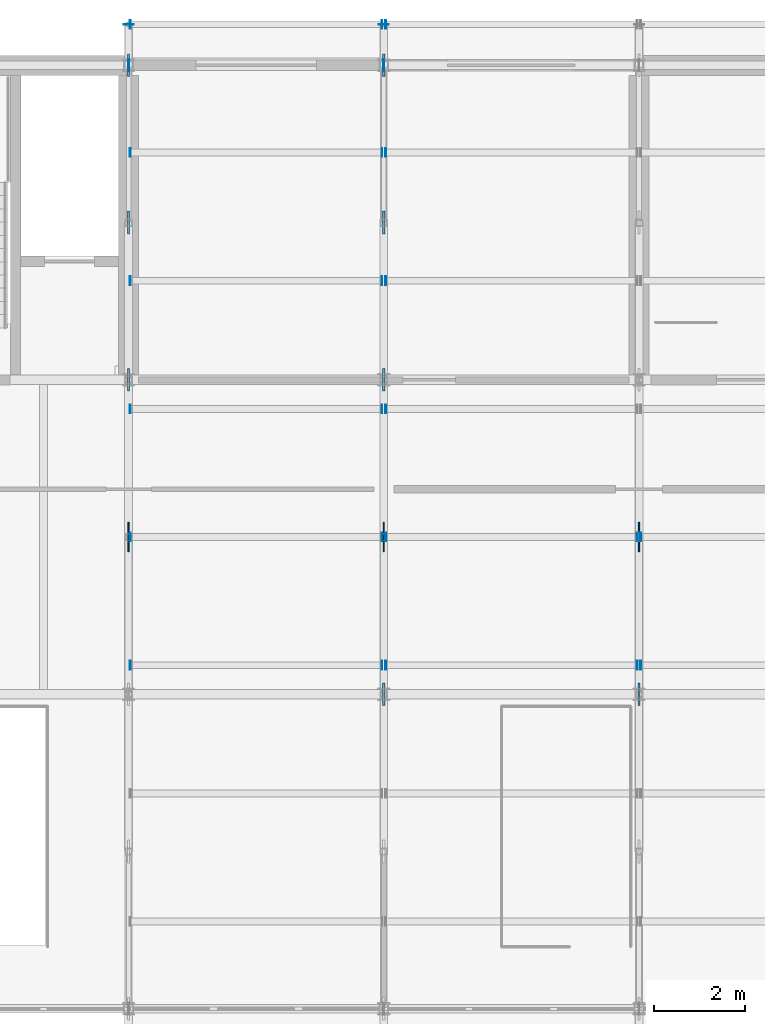
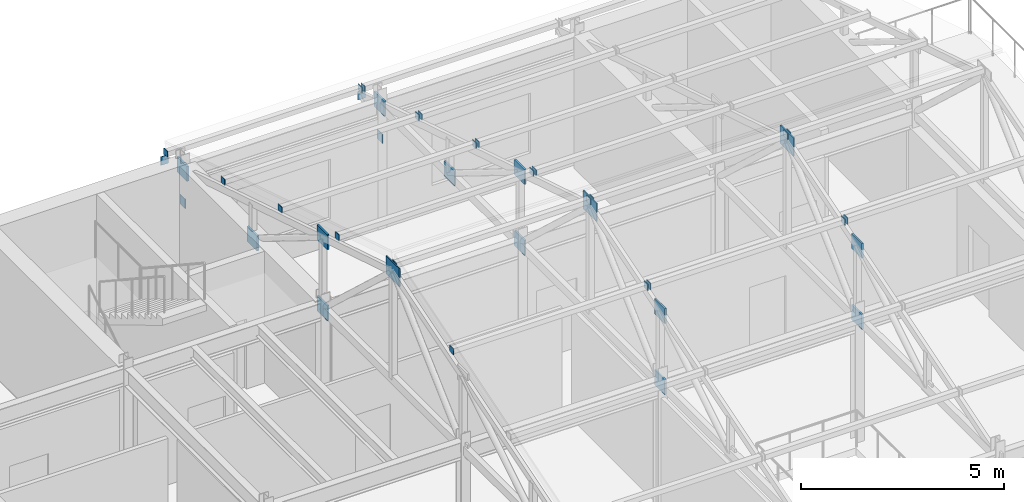
# One storey, part 123 of 144: 41 plates.
"""IFC4 building model written with IfcOpenShell, lengths in metres."""

import ifcopenshell
import ifcopenshell.guid

model = None  # the IFC model being written
_history = None  # IfcOwnerHistory: only IFC2X3 demands one
_inside = {}  # id of a spatial element -> (the spatial element, [elements in it])
_under = {}  # id of a project, library or spatial element -> (it, [spatial elements below it])
_declared = {}  # id of a project -> (the project, [libraries it declares])
_typed = {}  # id of a type object -> (the type object, [elements of that type])
_made_of = {}  # id of a material, layer set ... -> (it, [elements and type objects made of it])


def new_model(schema):
    """Start an empty IFC model of exactly this schema.

    Asked for "IFC4X3", IfcOpenShell would pick the latest addendum, in which some entities
    have other attributes; the version numbers below select the first issue.
    IFC2X3 requires an IfcOwnerHistory on every rooted entity: one is made here for all.
    """
    global model, _history
    if schema == "IFC4X3":
        model = ifcopenshell.file(schema_version=(4, 3, 0, 0))
    else:
        model = ifcopenshell.file(schema=schema)
    _inside.clear()
    _under.clear()
    _declared.clear()
    _typed.clear()
    _made_of.clear()
    _history = None
    if model.schema == "IFC2X3":
        org = make("IfcOrganization", Name="unknown")
        user = make(
            "IfcPersonAndOrganization",
            ThePerson=make("IfcPerson", FamilyName="unknown"),
            TheOrganization=org,
        )
        app = make(
            "IfcApplication",
            ApplicationDeveloper=org,
            Version="unknown",
            ApplicationFullName="unknown",
            ApplicationIdentifier="unknown",
        )
        _history = make(
            "IfcOwnerHistory",
            OwningUser=user,
            OwningApplication=app,
            ChangeAction="ADDED",
            CreationDate=0,
        )
    return model


def make(cls, **values):
    """One entity of the class cls with the attributes given. An attribute that is None is left unset."""
    return model.create_entity(
        cls, **{name: value for name, value in values.items() if value is not None}
    )


def rooted(cls, **values):
    """An entity with a GlobalId (a new one), such as an element, a storey or a relation."""
    return make(cls, GlobalId=ifcopenshell.guid.new(), OwnerHistory=_history, **values)


def si_unit(unit_type, name, prefix=None):
    """IfcSIUnit, for example si_unit("LENGTHUNIT", "METRE", prefix="MILLI")."""
    return make("IfcSIUnit", UnitType=unit_type, Prefix=prefix, Name=name)


def assignment(units):
    """IfcUnitAssignment: the units of a project."""
    return None if units is None else make("IfcUnitAssignment", Units=units)


def point(xyz):
    """IfcCartesianPoint."""
    return None if xyz is None else make("IfcCartesianPoint", Coordinates=xyz)


def direction(xyz):
    """IfcDirection."""
    return None if xyz is None else make("IfcDirection", DirectionRatios=xyz)


def frame(location, z_axis=None, x_axis=None):
    """IfcAxis2Placement3D, a coordinate frame: its origin and axes. An axis left out is left unset."""
    return make(
        "IfcAxis2Placement3D",
        Location=point(location),
        Axis=direction(z_axis),
        RefDirection=direction(x_axis),
    )


def frame_2d(location, x_axis=None):
    """IfcAxis2Placement2D, a coordinate frame in the plane: its origin and x axis."""
    return make(
        "IfcAxis2Placement2D", Location=point(location), RefDirection=direction(x_axis)
    )


def origin():
    """The frame at (0, 0, 0) with its axes left unset."""
    return frame((0.0, 0.0, 0.0))


def origin_2d():
    """The frame at (0, 0) in the plane with its x axis left unset."""
    return frame_2d((0.0, 0.0))


def place(relative_to, where):
    """IfcLocalPlacement: puts the frame where relative to a parent placement (None: the world)."""
    return make(
        "IfcLocalPlacement", PlacementRelTo=relative_to, RelativePlacement=where
    )


def context(
    kind, dimensions, precision=None, world=None, true_north=None, identifier=None
):
    """IfcGeometricRepresentationContext, for example the 3D "Model" context."""
    return make(
        "IfcGeometricRepresentationContext",
        ContextIdentifier=identifier,
        ContextType=kind,
        CoordinateSpaceDimension=dimensions,
        Precision=precision,
        WorldCoordinateSystem=world,
        TrueNorth=true_north,
    )


def subcontext(parent, identifier, kind, view, scale=None):
    """IfcGeometricRepresentationSubContext, for example "Body" below "Model"."""
    return make(
        "IfcGeometricRepresentationSubContext",
        ContextIdentifier=identifier,
        ContextType=kind,
        ParentContext=parent,
        TargetScale=scale,
        TargetView=view,
    )


def project(units=None, contexts=None):
    """IfcProject with its units and contexts."""
    return rooted(
        "IfcProject",
        Name="project",
        RepresentationContexts=contexts,
        UnitsInContext=assignment(units),
    )


def spatial(cls, under=None, at=None, **own):
    """A site, building, storey or space (cls), placed at a placement, below another one or the project."""
    s = rooted(cls, ObjectPlacement=at, **own)
    if under is not None:
        _under.setdefault(under.id(), (under, []))[1].append(s)
    return s


def profile(cls, at=None, kind="AREA", **sizes):
    """A parametric profile (cls). Its sizes go by their IFC names, for example OverallWidth=200.0."""
    return make(cls, ProfileType=kind, Position=at, **sizes)


def rectangle(**sizes):
    """IfcRectangleProfileDef."""
    return profile("IfcRectangleProfileDef", **sizes)


def extrude(swept, where, along, depth):
    """IfcExtrudedAreaSolid: the profile swept, set in the frame where, extruded along a direction by depth."""
    return make(
        "IfcExtrudedAreaSolid",
        SweptArea=swept,
        Position=where,
        ExtrudedDirection=direction(along),
        Depth=depth,
    )


def shape(context_of_items, identifier, shape_type, items):
    """IfcShapeRepresentation: the items that make up one representation, for example the "Body"."""
    return make(
        "IfcShapeRepresentation",
        ContextOfItems=context_of_items,
        RepresentationIdentifier=identifier,
        RepresentationType=shape_type,
        Items=items,
    )


def material(Name=None, Category=None):
    """IfcMaterial."""
    return make("IfcMaterial", Name=Name, Category=Category)


def layer(
    of_material, thickness, ventilated=None, Name=None, Category=None, Priority=None
):
    """IfcMaterialLayer: one layer of a wall or slab, of a material (None: an air gap)."""
    return make(
        "IfcMaterialLayer",
        Material=of_material,
        LayerThickness=thickness,
        IsVentilated=ventilated,
        Name=Name,
        Category=Category,
        Priority=Priority,
    )


def layer_set(layers, Name=None):
    """IfcMaterialLayerSet."""
    return make("IfcMaterialLayerSet", MaterialLayers=layers, LayerSetName=Name)


def made_of(thing, what):
    """Note that an element or type object is made of a material, layer set ...; save() writes the relation."""
    if what is not None:
        _made_of.setdefault(what.id(), (what, []))[1].append(thing)
    return thing


def type_object(cls, material=None, **own):
    """A type object (cls), such as IfcWallType, which elements share."""
    return made_of(rooted(cls, **own), material)


def element(
    cls,
    number,
    at=None,
    inside=None,
    cuts=None,
    type_object=None,
    material=None,
    context=None,
    identifier="Body",
    shape_type=None,
    held_by="IfcProductDefinitionShape",
    body=None,
    shapes=None,
    **own,
):
    """One element of the class cls, such as IfcWall. Its Tag is "e" and its number.

    at: its placement. inside: the storey or other place that contains it. cuts: it is an
    opening in that element (IfcRelVoidsElement). A single representation is given by context,
    identifier, shape_type and body (its items); several are given by shapes. held_by: the class
    of the entity that holds the representations. save() writes the other relations.
    """
    e = rooted(cls, Tag="e%d" % number, ObjectPlacement=at, **own)
    if body is not None:
        shapes = [shape(context, identifier, shape_type, body)]
    if shapes is not None:
        e.Representation = make(held_by, Representations=shapes)
    if inside is not None:
        _inside.setdefault(inside.id(), (inside, []))[1].append(e)
    if cuts is not None:
        rooted(
            "IfcRelVoidsElement", RelatingBuildingElement=cuts, RelatedOpeningElement=e
        )
    if type_object is not None:
        _typed.setdefault(type_object.id(), (type_object, []))[1].append(e)
    return made_of(e, material)


def aggregate(whole, parts):
    """IfcRelAggregates: a whole, such as a stair, and the parts it consists of."""
    return rooted("IfcRelAggregates", RelatingObject=whole, RelatedObjects=parts)


def save(model, path):
    """Write the relations noted so far, then the file.

    IfcRelAggregates (storeys below a building ...), IfcRelContainedInSpatialStructure (elements
    in a storey), IfcRelDefinesByType, IfcRelAssociatesMaterial and IfcRelDeclares: one each for
    every whole, place, type object, material and project.
    """
    for whole, parts in _under.values():
        aggregate(whole, parts)
    for where, things in _inside.values():
        rooted(
            "IfcRelContainedInSpatialStructure",
            RelatedElements=things,
            RelatingStructure=where,
        )
    for kind, things in _typed.values():
        rooted("IfcRelDefinesByType", RelatedObjects=things, RelatingType=kind)
    for what, things in _made_of.values():
        rooted("IfcRelAssociatesMaterial", RelatedObjects=things, RelatingMaterial=what)
    for by, libraries in _declared.values():
        rooted("IfcRelDeclares", RelatingContext=by, RelatedDefinitions=libraries)
    model.write(path)


model = new_model("IFC4")

# Units and contexts
model_context = context("Model", 3, precision=1e-05, world=origin(), true_north=direction((0.0, 1.0)))
body_context = subcontext(model_context, "Body", "Model", "MODEL_VIEW")
ifc_project = project(units=[si_unit("LENGTHUNIT", "METRE"), si_unit("AREAUNIT", "SQUARE_METRE"), si_unit("VOLUMEUNIT", "CUBIC_METRE"), si_unit("PLANEANGLEUNIT", "RADIAN"), si_unit("MASSUNIT", "GRAM", prefix="KILO")], contexts=[model_context])

# Site, building, storey
site_placement = place(None, origin())
site = spatial("IfcSite", under=ifc_project, at=site_placement, CompositionType="ELEMENT")
building_placement = place(site_placement, origin())
building = spatial("IfcBuilding", under=site, at=building_placement, Name="Trelmorton Wharf Fire Station", CompositionType="ELEMENT")
storey_placement = place(building_placement, frame((0.0, 0.0, 5.39990234375)))
storey = spatial("IfcBuildingStorey", under=building, at=storey_placement, Name="L01", CompositionType="ELEMENT", Elevation=5.39990234375)

# Plates
ifc_material = material(Name="Steel Grade 350", Category="steel")
ifc_layer_1 = layer(ifc_material, 0.011962890625)
ifc_layer_set_1 = layer_set([ifc_layer_1], Name="Steel Grade 350")
plate_type_1 = type_object("IfcPlateType", Name="PL_ENDCAP_12", PredefinedType="SHEET", material=ifc_layer_set_1)
for number, where, z_axis, x_axis, name in (
    (1, (23.199951171875, 81.89990234375, 3.27587890625), (0.0, 0.0, 1.0), (1.0, 0.0, 0.0), "PL-EC-0067"),
    (2, (28.800048828125, 81.89990234375, 3.27587890625), (0.0, 0.0, 1.0), (1.0, 0.0, 0.0), "PL-EC-0071"),
):
    element("IfcPlate", number, at=place(storey_placement, frame(where, z_axis=z_axis, x_axis=x_axis)), inside=storey, type_object=plate_type_1, Name=name, PredefinedType="SHEET", context=body_context, shape_type="SweptSolid", body=[
        extrude(rectangle(XDim=0.219970703125, YDim=0.011962890625, at=origin_2d()), origin(), (0.0, 0.0, 1.0), 0.260009765625),
    ])
for number, where, z_axis, x_axis, name in (
    (3, (23.239013671875, 67.83740234375, 6.11279296875), (0.0, 0.0, 1.0), (1.0, 0.0, 0.0), "PL-PREC-A-0087"),
    (4, (28.760986328125, 67.83740234375, 6.11279296875), (0.0, 0.0, 1.0), (1.0, 0.0, 0.0), "PL-PREC-B-0088"),
    (5, (23.239013671875, 70.64990234375, 6.982421875), (0.0, 0.0, 1.0), (1.0, 0.0, 0.0), "PL-PREC-A-0089"),
    (6, (28.760986328125, 70.64990234375, 6.982421875), (0.0, 0.0, 1.0), (1.0, 0.0, 0.0), "PL-PREC-B-0090"),
    (7, (23.239013671875, 73.46240234375, 6.11279296875), (0.0, 0.0, 1.0), (1.0, 0.0, 0.0), "PL-PREC-A-0091"),
    (8, (28.760986328125, 73.46240234375, 6.11279296875), (0.0, 0.0, 1.0), (1.0, 0.0, 0.0), "PL-PREC-B-0092"),
    (9, (23.239013671875, 76.27490234375, 5.2431640625), (0.0, 0.0, 1.0), (1.0, 0.0, 0.0), "PL-PREC-A-0093"),
    (10, (28.760986328125, 76.27490234375, 5.2431640625), (0.0, 0.0, 1.0), (1.0, 0.0, 0.0), "PL-PREC-B-0094"),
    (11, (23.239013671875, 79.08740234375, 4.37353515625), (0.0, 0.0, 1.0), (1.0, 0.0, 0.0), "PL-PREC-A-0095"),
    (12, (28.760986328125, 79.08740234375, 4.37353515625), (0.0, 0.0, 1.0), (1.0, 0.0, 0.0), "PL-PREC-B-0096"),
    (13, (23.239013671875, 81.89990234375, 3.50390625), (0.0, 0.0, 1.0), (1.0, 0.0, 0.0), "PL-PREC-A-0097"),
    (14, (28.760986328125, 81.89990234375, 3.50390625), (0.0, 0.0, 1.0), (1.0, 0.0, 0.0), "PL-PREC-B-0098"),
    (15, (28.839111328125, 67.83740234375, 6.11279296875), (0.0, 0.0, 1.0), (1.0, 0.0, 0.0), "PL-PREC-A-0105"),
    (16, (34.361083984375, 67.83740234375, 6.11279296875), (0.0, 0.0, 1.0), (1.0, 0.0, 0.0), "PL-PREC-B-0106"),
    (17, (28.839111328125, 70.64990234375, 6.982421875), (0.0, 0.0, 1.0), (1.0, 0.0, 0.0), "PL-PREC-A-0107"),
    (18, (34.361083984375, 70.64990234375, 6.982421875), (0.0, 0.0, 1.0), (1.0, 0.0, 0.0), "PL-PREC-B-0108"),
    (19, (28.839111328125, 73.46240234375, 6.11279296875), (0.0, 0.0, 1.0), (1.0, 0.0, 0.0), "PL-PREC-A-0109"),
    (20, (28.839111328125, 76.27490234375, 5.2431640625), (0.0, 0.0, 1.0), (1.0, 0.0, 0.0), "PL-PREC-A-0111"),
    (21, (28.839111328125, 79.08740234375, 4.37353515625), (0.0, 0.0, 1.0), (1.0, 0.0, 0.0), "PL-PREC-A-0113"),
    (22, (28.839111328125, 81.89990234375, 3.50390625), (0.0, 0.0, 1.0), (1.0, 0.0, 0.0), "PL-PREC-A-0115"),
    (23, (34.43896484375, 67.83740234375, 6.11279296875), (0.0, 0.0, 1.0), (1.0, 0.0, 0.0), "PL-PREC-A-0123"),
    (24, (34.43896484375, 70.64990234375, 6.982421875), (0.0, 0.0, 1.0), (1.0, 0.0, 0.0), "PL-PREC-A-0125"),
):
    element("IfcPlate", number, at=place(storey_placement, frame(where, z_axis=z_axis, x_axis=x_axis)), inside=storey, type_object=plate_type_1, Name=name, PredefinedType="SHEET", context=body_context, shape_type="SweptSolid", body=[
        extrude(rectangle(XDim=0.02001953125, YDim=0.18994140625, at=origin_2d()), origin(), (0.0, 0.0, 1.0), 0.18994140625),
    ])
ifc_layer_2 = layer(ifc_material, 0.02001953125)
ifc_layer_set_2 = layer_set([ifc_layer_2], Name="Steel Grade 350")
plate_type_2 = type_object("IfcPlateType", Name="PL_ENDCAP_20", PredefinedType="SHEET", material=ifc_layer_set_2)
for number, where, z_axis, x_axis, name in (
    (25, (23.199951171875, 81.0, 2.56005859375), (0.0, 0.0, 1.0), (1.0, 0.0, 0.0), "PL-EC-0068"),
    (26, (28.800048828125, 81.0, 2.56005859375), (0.0, 0.0, 1.0), (1.0, 0.0, 0.0), "PL-EC-0072"),
):
    element("IfcPlate", number, at=place(storey_placement, frame(where, z_axis=z_axis, x_axis=x_axis)), inside=storey, type_object=plate_type_2, Name=name, PredefinedType="SHEET", context=body_context, shape_type="SweptSolid", body=[
        extrude(rectangle(XDim=0.02001953125, YDim=0.260009765625, at=origin_2d()), origin(), (0.0, 0.0, 1.0), 0.280029296875),
    ])
ifc_layer_3 = layer(ifc_material, 0.030029296875)
ifc_layer_set_3 = layer_set([ifc_layer_3], Name="Steel Grade 350")
plate_type_3 = type_object("IfcPlateType", Name="PL_GUSSET_TN1", PredefinedType="USERDEFINED", material=ifc_layer_set_3)
for number, where, z_axis, x_axis, name in (
    (27, (23.199951171875, 70.64990234375, 6.60888671875), (0.0, 0.0, 1.0), (1.0, 0.0, 0.0), "PL-TN-0295"),
    (28, (28.800048828125, 70.64990234375, 6.60888671875), (0.0, 0.0, 1.0), (1.0, 0.0, 0.0), "PL-TN-0304"),
    (29, (34.39990234375, 70.64990234375, 6.60888671875), (0.0, 0.0, 1.0), (1.0, 0.0, 0.0), "PL-TN-0313"),
):
    element("IfcPlate", number, at=place(storey_placement, frame(where, z_axis=z_axis, x_axis=x_axis)), inside=storey, type_object=plate_type_3, Name=name, ObjectType="GUSSET PLATE", PredefinedType="USERDEFINED", context=body_context, shape_type="SweptSolid", body=[
        extrude(rectangle(XDim=0.030029296875, YDim=0.64990234375, at=origin_2d()), origin(), (0.0, 0.0, 1.0), 0.550048828125),
    ])
ifc_layer_4 = layer(ifc_material, 0.050048828125)
ifc_layer_set_4 = layer_set([ifc_layer_4], Name="Steel Grade 350")
plate_type_4 = type_object("IfcPlateType", Name="PL_GUSSET_TN2", PredefinedType="USERDEFINED", material=ifc_layer_set_4)
for number, where, z_axis, x_axis, name in (
    (30, (23.199951171875, 81.0, 3.458984375), (0.0, 0.0, 1.0), (1.0, 0.0, 0.0), "PL-TN-0294"),
    (31, (23.199951171875, 77.550048828125, 3.458984375), (0.0, 0.0, 1.0), (1.0, 0.0, 0.0), "PL-TN-0299"),
    (32, (23.199951171875, 74.10009765625, 5.59228515625), (0.0, 0.0, 1.0), (1.0, 0.0, 0.0), "PL-TN-0300"),
    (33, (23.199951171875, 74.10009765625, 3.458984375), (0.0, 0.0, 1.0), (1.0, 0.0, 0.0), "PL-TN-0301"),
    (34, (28.800048828125, 81.0, 3.458984375), (0.0, 0.0, 1.0), (1.0, 0.0, 0.0), "PL-TN-0303"),
    (35, (28.800048828125, 67.199951171875, 5.59228515625), (0.0, 0.0, 1.0), (1.0, 0.0, 0.0), "PL-TN-0306"),
    (36, (28.800048828125, 67.199951171875, 3.458984375), (0.0, 0.0, 1.0), (1.0, 0.0, 0.0), "PL-TN-0307"),
    (37, (28.800048828125, 77.550048828125, 3.458984375), (0.0, 0.0, 1.0), (1.0, 0.0, 0.0), "PL-TN-0308"),
    (38, (28.800048828125, 74.10009765625, 5.59228515625), (0.0, 0.0, 1.0), (1.0, 0.0, 0.0), "PL-TN-0309"),
    (39, (28.800048828125, 74.10009765625, 3.458984375), (0.0, 0.0, 1.0), (1.0, 0.0, 0.0), "PL-TN-0310"),
    (40, (34.39990234375, 67.199951171875, 5.59228515625), (0.0, 0.0, 1.0), (1.0, 0.0, 0.0), "PL-TN-0315"),
    (41, (34.39990234375, 67.199951171875, 3.458984375), (0.0, 0.0, 1.0), (1.0, 0.0, 0.0), "PL-TN-0316"),
):
    element("IfcPlate", number, at=place(storey_placement, frame(where, z_axis=z_axis, x_axis=x_axis)), inside=storey, type_object=plate_type_4, Name=name, ObjectType="GUSSET PLATE", PredefinedType="USERDEFINED", context=body_context, shape_type="SweptSolid", body=[
        extrude(rectangle(XDim=0.050048828125, YDim=0.5, at=origin_2d()), origin(), (0.0, 0.0, 1.0), 0.449951171875),
    ])

save(model, "model.ifc")
